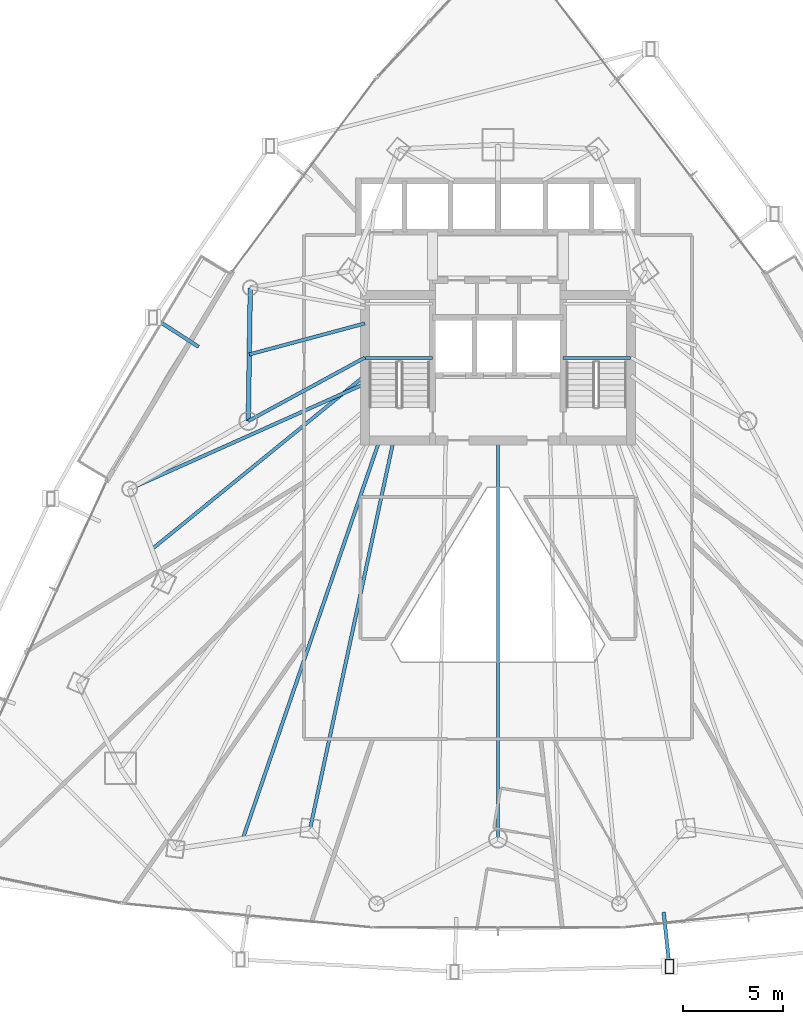
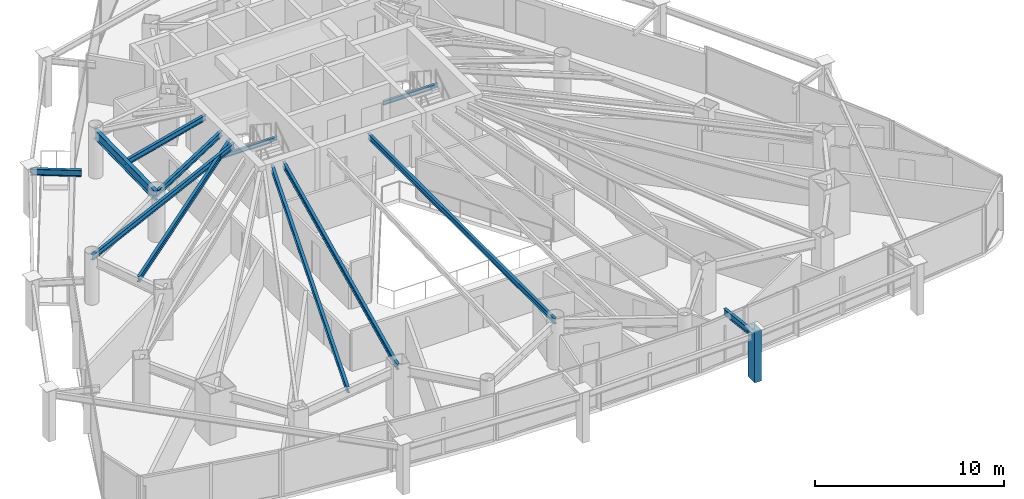
# One storey, part 11 of 33: 12 beams, 1 member.
"""IFC4 building model written with IfcOpenShell, lengths in metres."""

from ifc_helpers import new_model, si_unit, direction, frame, origin, origin_2d, place, context, subcontext, project, spatial, hollow_rectangle, i_section, extrude, material, material_profile, profile_set, type_object, element, save


model = new_model("IFC4")

# Units and contexts
model_context = context("Model", 3, precision=1e-05, world=origin(), true_north=direction((0.0, 1.0)))
body_context = subcontext(model_context, "Body", "Model", "MODEL_VIEW")
ifc_project = project(units=[si_unit("LENGTHUNIT", "METRE"), si_unit("AREAUNIT", "SQUARE_METRE"), si_unit("VOLUMEUNIT", "CUBIC_METRE"), si_unit("PLANEANGLEUNIT", "RADIAN"), si_unit("MASSUNIT", "GRAM", prefix="KILO")], contexts=[model_context])

# Site, building, storey
site_placement = place(None, origin())
site = spatial("IfcSite", under=ifc_project, at=site_placement, CompositionType="ELEMENT")
building_placement = place(site_placement, origin())
building = spatial("IfcBuilding", under=site, at=building_placement, Name="Orvanel Arch Residences", CompositionType="ELEMENT")
storey_placement = place(building_placement, frame((0.0, 0.0, 93.949951171875)))
storey = spatial("IfcBuildingStorey", under=building, at=storey_placement, Name="L26", CompositionType="ELEMENT", Elevation=93.949951171875)

# Beams
ifc_material_1 = material(Name="Structural steel AS/NZS 3679.1 Grade 300 (300 MPa)", Category="steel")
ifc_material_profile_1 = material_profile(ifc_material_1, i_section(OverallWidth=0.14599609375, OverallDepth=0.251953125, WebThickness=0.006103515625, FlangeThickness=0.008544921875, at=origin_2d()), Name="250UB31.4")
ifc_profile_set_1 = profile_set([ifc_material_profile_1], Name="Structural steel AS/NZS 3679.1 Grade 300 (300 MPa)")
beam_type_1 = type_object("IfcBeamType", Name="BJ-250UB", PredefinedType="JOIST", material=ifc_profile_set_1)
for number, where, z_axis, x_axis, name in (
    (1, (26.39990234375, 30.780029296875, 1.323974609375), (1.0, 0.0, 0.0), (0.0, 1.0, 0.0), "L26 ST-1 Half-Landing Support Beam 1.1"),
    (2, (36.25, 30.780029296875, 1.323974609375), (1.0, 0.0, 0.0), (0.0, 1.0, 0.0), "L26 ST-2 Half-Landing Support Beam 1.1"),
):
    element("IfcBeam", number, at=place(storey_placement, frame(where, z_axis=z_axis, x_axis=x_axis)), inside=storey, type_object=beam_type_1, Name=name, PredefinedType="JOIST", context=body_context, shape_type="SweptSolid", body=[
        extrude(i_section(OverallWidth=0.14599609375, OverallDepth=0.251953125, WebThickness=0.006103515625, FlangeThickness=0.008544921875, at=origin_2d()), origin(), (0.0, 0.0, 1.0), 3.35009765625),
    ])
ifc_material_profile_2 = material_profile(ifc_material_1, i_section(OverallWidth=0.1708984375, OverallDepth=0.35595703125, WebThickness=0.00732421875, FlangeThickness=0.011474609375, at=origin_2d()), Name="360UB50.7")
ifc_profile_set_2 = profile_set([ifc_material_profile_2], Name="Structural steel AS/NZS 3679.1 Grade 300 (300 MPa)")
beam_type_2 = type_object("IfcBeamType", Name="BJ-360UB", PredefinedType="JOIST", material=ifc_profile_set_2)
beam_1_placement = place(storey_placement, frame((26.375, 30.800048828125, 2.842041015625), z_axis=(-0.878399029914, -0.477927969726, 0.0), x_axis=(0.477927969726, -0.878399029914, 0.0)))
element("IfcBeam", 3, at=beam_1_placement, inside=storey, type_object=beam_type_2, Name="L26 NW Wing Floor Joist", PredefinedType="JOIST", context=body_context, shape_type="SweptSolid", body=[
    extrude(i_section(OverallWidth=0.1708984375, OverallDepth=0.35595703125, WebThickness=0.00732421875, FlangeThickness=0.011474609375, at=origin_2d()), origin(), (0.0, 0.0, 1.0), 6.609619140625),
])
beam_2_placement = place(storey_placement, frame((27.800048828125, 26.675048828125, 2.842041015625), z_axis=(-0.210066515515, -0.977687096703, 0.0), x_axis=(0.977687096703, -0.210066515515, 0.0)))
element("IfcBeam", 4, at=beam_2_placement, inside=storey, type_object=beam_type_2, Name="L26 SW Wing Floor Joist", PredefinedType="JOIST", context=body_context, shape_type="SweptSolid", body=[
    extrude(i_section(OverallWidth=0.1708984375, OverallDepth=0.35595703125, WebThickness=0.00732421875, FlangeThickness=0.011474609375, at=origin_2d()), origin(), (0.0, 0.0, 1.0), 19.760986328125),
])
beam_3_placement = place(storey_placement, frame((33.0, 26.675048828125, 2.842041015625), z_axis=(0.0, -1.0, 0.0), x_axis=(1.0, 0.0, 0.0)))
element("IfcBeam", 5, at=beam_3_placement, inside=storey, type_object=beam_type_2, Name="L26 SSW Wing Floor Joist", PredefinedType="JOIST", context=body_context, shape_type="SweptSolid", body=[
    extrude(i_section(OverallWidth=0.1708984375, OverallDepth=0.35595703125, WebThickness=0.00732421875, FlangeThickness=0.011474609375, at=origin_2d()), origin(), (0.0, 0.0, 1.0), 19.8310546875),
])
beam_4_placement = place(storey_placement, frame((26.375, 32.5, 2.842041015625), z_axis=(-0.965844838168, -0.259121107949, 0.0), x_axis=(0.259121107949, -0.965844838168, 0.0)))
element("IfcBeam", 6, at=beam_4_placement, inside=storey, type_object=beam_type_2, Name="L26 WNW Wing Floor Joist", PredefinedType="JOIST", context=body_context, shape_type="SweptSolid", body=[
    extrude(i_section(OverallWidth=0.1708984375, OverallDepth=0.35595703125, WebThickness=0.00732421875, FlangeThickness=0.011474609375, at=origin_2d()), origin(), (0.0, 0.0, 1.0), 5.95849609375),
])
beam_5_placement = place(storey_placement, frame((26.375, 29.5, 2.842041015625), z_axis=(-0.912704378681, -0.408620505038, 0.0), x_axis=(0.408620505038, -0.912704378681, 0.0)))
element("IfcBeam", 7, at=beam_5_placement, inside=storey, type_object=beam_type_2, Name="L26 LSW Wing Floor Joist", PredefinedType="JOIST", context=body_context, shape_type="SweptSolid", body=[
    extrude(i_section(OverallWidth=0.1708984375, OverallDepth=0.35595703125, WebThickness=0.00732421875, FlangeThickness=0.011474609375, at=origin_2d()), origin(), (0.0, 0.0, 1.0), 12.833251953125),
])
beam_6_placement = place(storey_placement, frame((26.375, 29.89990234375, 2.842041015625), z_axis=(-0.775173162495, -0.631748817291, 0.0), x_axis=(0.631748817291, -0.775173162495, 0.0)))
element("IfcBeam", 8, at=beam_6_placement, inside=storey, type_object=beam_type_2, Name="L26 CTW Wing Floor Joist", PredefinedType="JOIST", context=body_context, shape_type="SweptSolid", body=[
    extrude(i_section(OverallWidth=0.1708984375, OverallDepth=0.35595703125, WebThickness=0.00732421875, FlangeThickness=0.011474609375, at=origin_2d()), origin(), (0.0, 0.0, 1.0), 13.680908203125),
])
beam_7_placement = place(storey_placement, frame((27.10009765625, 26.675048828125, 2.842041015625), z_axis=(-0.324621456495, -0.945844019901, 0.0), x_axis=(0.945844019901, -0.324621456495, 0.0)))
element("IfcBeam", 9, at=beam_7_placement, inside=storey, type_object=beam_type_2, Name="L26 JADD1 Wing Floor Joist", PredefinedType="JOIST", context=body_context, shape_type="SweptSolid", body=[
    extrude(i_section(OverallWidth=0.1708984375, OverallDepth=0.35595703125, WebThickness=0.00732421875, FlangeThickness=0.011474609375, at=origin_2d()), origin(), (0.0, 0.0, 1.0), 20.96337890625),
])

# Member
ifc_material_2 = material(Name="Structural steel AS/NZS 3678 Grade 350", Category="steel")
ifc_material_profile_3 = material_profile(ifc_material_2, hollow_rectangle(XDim=0.419921875, YDim=0.719970703125, WallThickness=0.02490234375, at=origin_2d()), Name="RHS720x420x25")
ifc_profile_set_3 = profile_set([ifc_material_profile_3], Name="Structural steel AS/NZS 3678 Grade 350")
member_type = type_object("IfcMemberType", Name="CH-720RHS-EXT", PredefinedType="CHORD", material=ifc_profile_set_3)
member_placement = place(storey_placement, frame((41.532958984375, 0.493896484375, 0.0), z_axis=(0.0, 0.0, 1.0), x_axis=(1.0, 0.0, 0.0)))
element("IfcMember", 10, at=member_placement, inside=storey, type_object=member_type, Name="L26 Outer Perimeter Frame Post 07", PredefinedType="CHORD", context=body_context, shape_type="SweptSolid", body=[
    extrude(hollow_rectangle(XDim=0.419921875, YDim=0.719970703125, WallThickness=0.02490234375, at=origin_2d()), origin(), (0.0, 0.0, 1.0), 3.300048828125),
])

# Beams
ifc_material_profile_4 = material_profile(ifc_material_1, i_section(OverallWidth=0.177978515625, OverallDepth=0.406005859375, WebThickness=0.0078125, FlangeThickness=0.0126953125, at=origin_2d()), Name="410UB59.7")
ifc_profile_set_4 = profile_set([ifc_material_profile_4], Name="Structural steel AS/NZS 3679.1 Grade 300 (300 MPa)")
beam_type_3 = type_object("IfcBeamType", Name="OB-410UB-EXT", PredefinedType="SPANDREL", material=ifc_profile_set_4)
beam_8_placement = place(storey_placement, frame((18.097900390625, 31.333984375, 2.817138671875), z_axis=(-0.840239663799, 0.542215185493, 0.0), x_axis=(-0.542215185493, -0.840239663799, 0.0)))
element("IfcBeam", 11, at=beam_8_placement, inside=storey, type_object=beam_type_3, Name="L26 Outer Frame Radial Tie Beam 02", PredefinedType="SPANDREL", context=body_context, shape_type="SweptSolid", body=[
    extrude(i_section(OverallWidth=0.177978515625, OverallDepth=0.406005859375, WebThickness=0.0078125, FlangeThickness=0.0126953125, at=origin_2d()), origin(), (0.0, 0.0, 1.0), 2.70751953125),
])
beam_9_placement = place(storey_placement, frame((41.2509765625, 3.18701171875, 2.817138671875), z_axis=(0.104135652612, -0.994563103003, 0.0), x_axis=(0.994563103003, 0.104135652612, 0.0)))
element("IfcBeam", 12, at=beam_9_placement, inside=storey, type_object=beam_type_3, Name="L26 Outer Frame Radial Tie Beam 07", PredefinedType="SPANDREL", context=body_context, shape_type="SweptSolid", body=[
    extrude(i_section(OverallWidth=0.177978515625, OverallDepth=0.406005859375, WebThickness=0.0078125, FlangeThickness=0.0126953125, at=origin_2d()), origin(), (0.0, 0.0, 1.0), 2.707763671875),
])
ifc_material_profile_5 = material_profile(ifc_material_1, i_section(OverallWidth=0.22900390625, OverallDepth=0.612060546875, WebThickness=0.011962890625, FlangeThickness=0.01953125, at=origin_2d()), Name="610UB125")
ifc_profile_set_5 = profile_set([ifc_material_profile_5], Name="Structural steel AS/NZS 3679.1 Grade 300 (300 MPa)")
beam_type_4 = type_object("IfcBeamType", Name="SP-610UB", PredefinedType="SPANDREL", material=ifc_profile_set_5)
beam_10_placement = place(storey_placement, frame((20.669921875, 34.27099609375, 2.714111328125), z_axis=(-0.015206666874, -0.999884371956, 0.0), x_axis=(0.999884371956, -0.015206666874, 0.0)))
element("IfcBeam", 13, at=beam_10_placement, inside=storey, type_object=beam_type_4, Name="L26 Perimeter Spandrel Beam 20", PredefinedType="SPANDREL", context=body_context, shape_type="SweptSolid", body=[
    extrude(i_section(OverallWidth=0.22900390625, OverallDepth=0.612060546875, WebThickness=0.011962890625, FlangeThickness=0.01953125, at=origin_2d()), origin(), (0.0, 0.0, 1.0), 6.630615234375),
])

save(model, "model.ifc")
